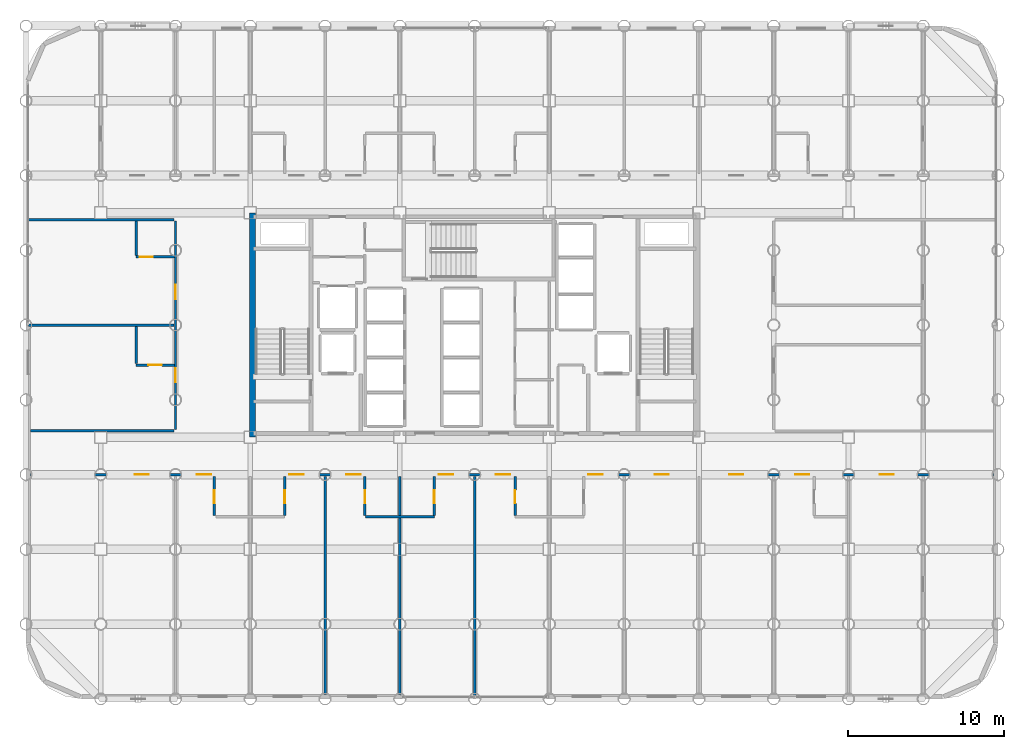
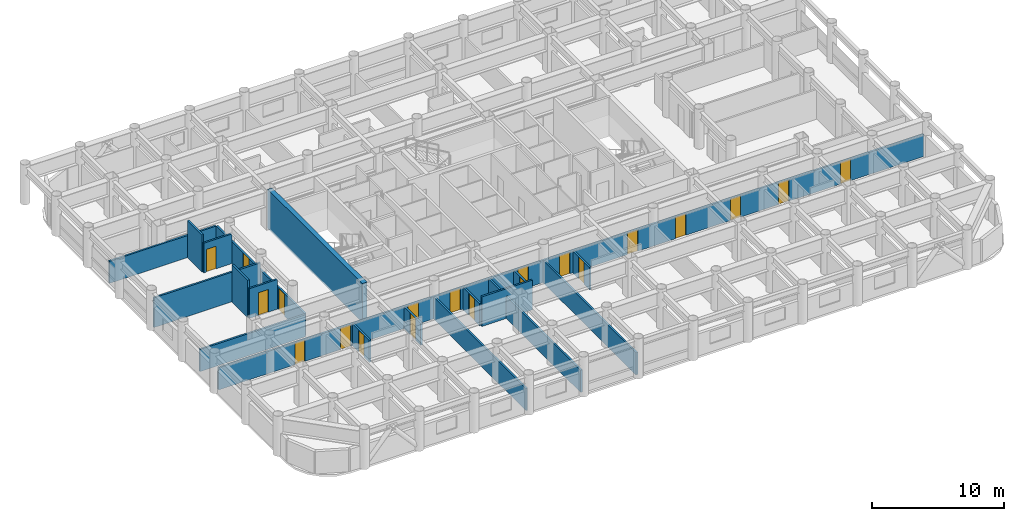
# One storey, part 15 of 21: 20 doors, 19 walls, 20 openings.
"""IFC4 building model written with IfcOpenShell, lengths in metres."""

from ifc_helpers import new_model, si_unit, direction, frame, frame_2d, origin, place, context, subcontext, project, spatial, rectangle, extrude, material, layer, layer_set, type_object, element, fill, save


model = new_model("IFC4")

# Units and contexts
model_context = context("Model", 3, precision=1e-05, world=origin(), true_north=direction((0.0, 1.0)))
body_context = subcontext(model_context, "Body", "Model", "MODEL_VIEW")
ifc_project = project(units=[si_unit("LENGTHUNIT", "METRE"), si_unit("AREAUNIT", "SQUARE_METRE"), si_unit("VOLUMEUNIT", "CUBIC_METRE"), si_unit("PLANEANGLEUNIT", "RADIAN"), si_unit("MASSUNIT", "GRAM", prefix="KILO")], contexts=[model_context])

# Site, building, storey
site_placement = place(None, origin())
site = spatial("IfcSite", under=ifc_project, at=site_placement, CompositionType="ELEMENT")
building_placement = place(site_placement, origin())
building = spatial("IfcBuilding", under=site, at=building_placement, Name="Kallvorn Hotel Tower", CompositionType="ELEMENT")
storey_placement = place(building_placement, frame((0.0, 0.0, 85.5)))
storey = spatial("IfcBuildingStorey", under=building, at=storey_placement, Name="L20", CompositionType="ELEMENT", Elevation=85.5)

# Walls
ifc_material_1 = material(Name="Concrete C50/60", Category="concrete")
ifc_layer_1 = layer(ifc_material_1, 0.39990234375)
ifc_layer_set_1 = layer_set([ifc_layer_1], Name="WL_CORE_400")
wall_type_1 = type_object("IfcWallType", Name="WL_CORE_400", PredefinedType="SHEAR", material=ifc_layer_set_1)
wall_1_placement = place(storey_placement, frame((-14.264892578125, -7.199951171875, -0.179931640625), z_axis=(0.0, 0.0, 1.0), x_axis=(0.0, 1.0, 0.0)))
element("IfcWall", 1, at=wall_1_placement, inside=storey, type_object=wall_type_1, Name="L20 Core West Shear Wall", PredefinedType="SHEAR", context=body_context, shape_type="SweptSolid", body=[
    extrude(rectangle(XDim=14.39990234375, YDim=0.39990234375, at=frame_2d((7.199951171875, 0.0))), origin(), (0.0, 0.0, 1.0), 3.6298828125),
])
ifc_material_2 = material(Name="Fire-rated double-layer acoustic gypsum drywall EI 60")
ifc_layer_2 = layer(ifc_material_2, 0.159912109375)
ifc_layer_set_2 = layer_set([ifc_layer_2], Name="WL_DEMISE_160")
wall_type_2 = type_object("IfcWallType", Name="WL_DEMISE_160", PredefinedType="PARTITIONING", material=ifc_layer_set_2)
wall_2_placement = place(storey_placement, frame((-7.010009765625, -12.320068359375, 0.0), z_axis=(0.0, 0.0, 1.0), x_axis=(1.0, 0.0, 0.0)))
element("IfcWall", 2, at=wall_2_placement, inside=storey, type_object=wall_type_2, Name="L20 Suite 2005 Superior Twin Room Partition", PredefinedType="PARTITIONING", context=body_context, shape_type="SweptSolid", body=[
    extrude(rectangle(XDim=4.419921875, YDim=0.159912109375, at=frame_2d((2.2099609375, 0.0))), origin(), (0.0, 0.0, 1.0), 2.75),
])

# Wall, openings, doors
wall_3_placement = place(storey_placement, frame((-28.510009765625, -9.60009765625, 0.0), z_axis=(0.0, 0.0, 1.0), x_axis=(1.0, 0.0, 0.0)))
wall_3 = element("IfcWall", 3, at=wall_3_placement, inside=storey, type_object=wall_type_2, Name="L20 Suite 2003 Superior Twin Room Partition", PredefinedType="PARTITIONING", context=body_context, shape_type="SweptSolid", body=[
    extrude(rectangle(XDim=61.820068359375, YDim=0.159912109375, at=frame_2d((30.91015625, 0.0))), origin(), (0.0, 0.0, 1.0), 2.050048828125),
])
opening_1_placement = place(wall_3_placement, frame((6.679443359375, 0.0, 0.0)))
opening_1 = element("IfcOpeningElement", 4, at=opening_1_placement, cuts=wall_3, Name="Opening SVD1A", PredefinedType="OPENING", context=body_context, shape_type="SweptSolid", body=[
    extrude(rectangle(XDim=0.89990234375, YDim=2.02001953125, at=frame_2d((0.449951171875, 1.010009765625))), frame((0.0, 0.094970703125, 0.0), z_axis=(0.0, -1.0, 0.0), x_axis=(1.0, 0.0, 0.0)), (0.0, 0.0, 1.0), 0.18994140625),
])
opening_2_placement = place(wall_3_placement, frame((54.5, 0.0, 0.0)))
opening_2 = element("IfcOpeningElement", 5, at=opening_2_placement, cuts=wall_3, Name="Opening SVD1A", PredefinedType="OPENING", context=body_context, shape_type="SweptSolid", body=[
    extrude(rectangle(XDim=0.89990234375, YDim=2.02001953125, at=frame_2d((0.449951171875, 1.010009765625))), frame((0.0, 0.094970703125, 0.0), z_axis=(0.0, -1.0, 0.0), x_axis=(1.0, 0.0, 0.0)), (0.0, 0.0, 1.0), 0.18994140625),
])
opening_3_placement = place(wall_3_placement, frame((10.679931640625, 0.0, 0.0)))
opening_3 = element("IfcOpeningElement", 6, at=opening_3_placement, cuts=wall_3, Name="Opening GD1A", PredefinedType="OPENING", context=body_context, shape_type="SweptSolid", body=[
    extrude(rectangle(XDim=0.919921875, YDim=2.02001953125, at=frame_2d((0.4599609375, 1.010009765625))), frame((0.0, 0.094970703125, 0.0), z_axis=(0.0, -1.0, 0.0), x_axis=(1.0, 0.0, 0.0)), (0.0, 0.0, 1.0), 0.18994140625),
])
opening_4_placement = place(wall_3_placement, frame((16.6201171875, 0.0, 0.0)))
opening_4 = element("IfcOpeningElement", 7, at=opening_4_placement, cuts=wall_3, Name="Opening GD1A", PredefinedType="OPENING", context=body_context, shape_type="SweptSolid", body=[
    extrude(rectangle(XDim=0.919921875, YDim=2.02001953125, at=frame_2d((0.4599609375, 1.010009765625))), frame((0.0, 0.094970703125, 0.0), z_axis=(0.0, -1.0, 0.0), x_axis=(1.0, 0.0, 0.0)), (0.0, 0.0, 1.0), 0.18994140625),
])
opening_5_placement = place(wall_3_placement, frame((20.280029296875, 0.0, 0.0)))
opening_5 = element("IfcOpeningElement", 8, at=opening_5_placement, cuts=wall_3, Name="Opening GD1A", PredefinedType="OPENING", context=body_context, shape_type="SweptSolid", body=[
    extrude(rectangle(XDim=0.919921875, YDim=2.02001953125, at=frame_2d((0.4599609375, 1.010009765625))), frame((0.0, 0.094970703125, 0.0), z_axis=(0.0, -1.0, 0.0), x_axis=(1.0, 0.0, 0.0)), (0.0, 0.0, 1.0), 0.18994140625),
])
opening_6_placement = place(wall_3_placement, frame((26.219970703125, 0.0, 0.0)))
opening_6 = element("IfcOpeningElement", 9, at=opening_6_placement, cuts=wall_3, Name="Opening GD1A", PredefinedType="OPENING", context=body_context, shape_type="SweptSolid", body=[
    extrude(rectangle(XDim=0.919921875, YDim=2.02001953125, at=frame_2d((0.4599609375, 1.010009765625))), frame((0.0, 0.094970703125, 0.0), z_axis=(0.0, -1.0, 0.0), x_axis=(1.0, 0.0, 0.0)), (0.0, 0.0, 1.0), 0.18994140625),
])
opening_7_placement = place(wall_3_placement, frame((29.8798828125, 0.0, 0.0)))
opening_7 = element("IfcOpeningElement", 10, at=opening_7_placement, cuts=wall_3, Name="Opening GD1A", PredefinedType="OPENING", context=body_context, shape_type="SweptSolid", body=[
    extrude(rectangle(XDim=0.919921875, YDim=2.02001953125, at=frame_2d((0.4599609375, 1.010009765625))), frame((0.0, 0.094970703125, 0.0), z_axis=(0.0, -1.0, 0.0), x_axis=(1.0, 0.0, 0.0)), (0.0, 0.0, 1.0), 0.18994140625),
])
opening_8_placement = place(wall_3_placement, frame((35.820068359375, 0.0, 0.0)))
opening_8 = element("IfcOpeningElement", 11, at=opening_8_placement, cuts=wall_3, Name="Opening GD1A", PredefinedType="OPENING", context=body_context, shape_type="SweptSolid", body=[
    extrude(rectangle(XDim=0.919921875, YDim=2.02001953125, at=frame_2d((0.4599609375, 1.010009765625))), frame((0.0, 0.094970703125, 0.0), z_axis=(0.0, -1.0, 0.0), x_axis=(1.0, 0.0, 0.0)), (0.0, 0.0, 1.0), 0.18994140625),
])
opening_9_placement = place(wall_3_placement, frame((40.06005859375, 0.0, 0.0)))
opening_9 = element("IfcOpeningElement", 12, at=opening_9_placement, cuts=wall_3, Name="Opening SVD1A", PredefinedType="OPENING", context=body_context, shape_type="SweptSolid", body=[
    extrude(rectangle(XDim=0.89990234375, YDim=2.02001953125, at=frame_2d((0.449951171875, 1.010009765625))), frame((0.0, 0.094970703125, 0.0), z_axis=(0.0, -1.0, 0.0), x_axis=(1.0, 0.0, 0.0)), (0.0, 0.0, 1.0), 0.18994140625),
])
opening_10_placement = place(wall_3_placement, frame((44.860107421875, 0.0, 0.0)))
opening_10 = element("IfcOpeningElement", 13, at=opening_10_placement, cuts=wall_3, Name="Opening SVD1A", PredefinedType="OPENING", context=body_context, shape_type="SweptSolid", body=[
    extrude(rectangle(XDim=0.89990234375, YDim=2.02001953125, at=frame_2d((0.449951171875, 1.010009765625))), frame((0.0, 0.094970703125, 0.0), z_axis=(0.0, -1.0, 0.0), x_axis=(1.0, 0.0, 0.0)), (0.0, 0.0, 1.0), 0.18994140625),
])
opening_11_placement = place(wall_3_placement, frame((49.080078125, 0.0, 0.0)))
opening_11 = element("IfcOpeningElement", 14, at=opening_11_placement, cuts=wall_3, Name="Opening GD1A", PredefinedType="OPENING", context=body_context, shape_type="SweptSolid", body=[
    extrude(rectangle(XDim=0.919921875, YDim=2.02001953125, at=frame_2d((0.4599609375, 1.010009765625))), frame((0.0, 0.094970703125, 0.0), z_axis=(0.0, -1.0, 0.0), x_axis=(1.0, 0.0, 0.0)), (0.0, 0.0, 1.0), 0.18994140625),
])
ifc_material_3 = material(Name="Solid-core walnut veneer fire-rated timber door leaf", Category="wood")
door_type_1 = type_object("IfcDoorType", Name="DR_GUEST_920x2020", OperationType="NOTDEFINED", PredefinedType="DOOR", material=ifc_material_3)
door_1_placement = place(opening_3_placement, origin())
door_1 = element("IfcDoor", 15, at=door_1_placement, inside=storey, type_object=door_type_1, Name="L20 Suite 2003 Superior Twin Room Door", OperationType="SINGLE_SWING_RIGHT", OverallHeight=2.02001953125, OverallWidth=0.919921875, PredefinedType="DOOR", context=body_context, shape_type="SweptSolid", body=[
    extrude(rectangle(XDim=0.919921875, YDim=2.02001953125, at=frame_2d((0.4599609375, 1.010009765625))), frame((0.0, 0.02490234375, 0.0), z_axis=(0.0, -1.0, 0.0), x_axis=(1.0, 0.0, 0.0)), (0.0, 0.0, 1.0), 0.050048828125),
])
fill(opening_3, door_1)
door_2_placement = place(opening_4_placement, origin())
door_2 = element("IfcDoor", 16, at=door_2_placement, inside=storey, type_object=door_type_1, Name="L20 Suite 2004 Superior Twin Room Door", OperationType="SINGLE_SWING_LEFT", OverallHeight=2.02001953125, OverallWidth=0.919921875, PredefinedType="DOOR", context=body_context, shape_type="SweptSolid", body=[
    extrude(rectangle(XDim=0.919921875, YDim=2.02001953125, at=frame_2d((0.4599609375, 1.010009765625))), frame((0.0, 0.02490234375, 0.0), z_axis=(0.0, -1.0, 0.0), x_axis=(1.0, 0.0, 0.0)), (0.0, 0.0, 1.0), 0.050048828125),
])
fill(opening_4, door_2)
door_3_placement = place(opening_5_placement, origin())
door_3 = element("IfcDoor", 17, at=door_3_placement, inside=storey, type_object=door_type_1, Name="L20 Suite 2005 Superior Twin Room Door", OperationType="SINGLE_SWING_LEFT", OverallHeight=2.02001953125, OverallWidth=0.919921875, PredefinedType="DOOR", context=body_context, shape_type="SweptSolid", body=[
    extrude(rectangle(XDim=0.919921875, YDim=2.02001953125, at=frame_2d((0.4599609375, 1.010009765625))), frame((0.0, 0.02490234375, 0.0), z_axis=(0.0, -1.0, 0.0), x_axis=(1.0, 0.0, 0.0)), (0.0, 0.0, 1.0), 0.050048828125),
])
fill(opening_5, door_3)
door_4_placement = place(opening_6_placement, origin())
door_4 = element("IfcDoor", 18, at=door_4_placement, inside=storey, type_object=door_type_1, Name="L20 Suite 2006 Superior Twin Room Door", OperationType="SINGLE_SWING_LEFT", OverallHeight=2.02001953125, OverallWidth=0.919921875, PredefinedType="DOOR", context=body_context, shape_type="SweptSolid", body=[
    extrude(rectangle(XDim=0.919921875, YDim=2.02001953125, at=frame_2d((0.4599609375, 1.010009765625))), frame((0.0, 0.02490234375, 0.0), z_axis=(0.0, -1.0, 0.0), x_axis=(1.0, 0.0, 0.0)), (0.0, 0.0, 1.0), 0.050048828125),
])
fill(opening_6, door_4)
door_5_placement = place(opening_7_placement, origin())
door_5 = element("IfcDoor", 19, at=door_5_placement, inside=storey, type_object=door_type_1, Name="L20 Suite 2007 Superior Twin Room Door", OperationType="SINGLE_SWING_LEFT", OverallHeight=2.02001953125, OverallWidth=0.919921875, PredefinedType="DOOR", context=body_context, shape_type="SweptSolid", body=[
    extrude(rectangle(XDim=0.919921875, YDim=2.02001953125, at=frame_2d((0.4599609375, 1.010009765625))), frame((0.0, 0.02490234375, 0.0), z_axis=(0.0, -1.0, 0.0), x_axis=(1.0, 0.0, 0.0)), (0.0, 0.0, 1.0), 0.050048828125),
])
fill(opening_7, door_5)
door_6_placement = place(opening_8_placement, origin())
door_6 = element("IfcDoor", 20, at=door_6_placement, inside=storey, type_object=door_type_1, Name="L20 Suite 2008 Superior Twin Room Door", OperationType="SINGLE_SWING_RIGHT", OverallHeight=2.02001953125, OverallWidth=0.919921875, PredefinedType="DOOR", context=body_context, shape_type="SweptSolid", body=[
    extrude(rectangle(XDim=0.919921875, YDim=2.02001953125, at=frame_2d((0.4599609375, 1.010009765625))), frame((0.0, 0.02490234375, 0.0), z_axis=(0.0, -1.0, 0.0), x_axis=(1.0, 0.0, 0.0)), (0.0, 0.0, 1.0), 0.050048828125),
])
fill(opening_8, door_6)
door_7_placement = place(opening_11_placement, origin())
door_7 = element("IfcDoor", 21, at=door_7_placement, inside=storey, type_object=door_type_1, Name="L20 Suite 2009 Deluxe King Room Door", OperationType="SINGLE_SWING_RIGHT", OverallHeight=2.02001953125, OverallWidth=0.919921875, PredefinedType="DOOR", context=body_context, shape_type="SweptSolid", body=[
    extrude(rectangle(XDim=0.919921875, YDim=2.02001953125, at=frame_2d((0.4599609375, 1.010009765625))), frame((0.0, 0.02490234375, 0.0), z_axis=(0.0, -1.0, 0.0), x_axis=(1.0, 0.0, 0.0)), (0.0, 0.0, 1.0), 0.050048828125),
])
fill(opening_11, door_7)
ifc_material_4 = material(Name="Galvanised painted steel fire-rated door assembly", Category="steel")
door_type_2 = type_object("IfcDoorType", Name="DR_SERV_900x2020", OperationType="NOTDEFINED", PredefinedType="DOOR", material=ifc_material_4)
door_8_placement = place(opening_1_placement, origin())
door_8 = element("IfcDoor", 22, at=door_8_placement, inside=storey, type_object=door_type_2, Name="L20 L20 South-West Botanical Bar Door", OperationType="SINGLE_SWING_LEFT", OverallHeight=2.02001953125, OverallWidth=0.89990234375, PredefinedType="DOOR", context=body_context, shape_type="SweptSolid", body=[
    extrude(rectangle(XDim=0.89990234375, YDim=2.02001953125, at=frame_2d((0.449951171875, 1.010009765625))), frame((0.0, 0.02490234375, 0.0), z_axis=(0.0, -1.0, 0.0), x_axis=(1.0, 0.0, 0.0)), (0.0, 0.0, 1.0), 0.050048828125),
])
fill(opening_1, door_8)
door_9_placement = place(opening_2_placement, origin())
door_9 = element("IfcDoor", 23, at=door_9_placement, inside=storey, type_object=door_type_2, Name="L20 L20 South-East Sommelier Bar A Door", OperationType="SINGLE_SWING_RIGHT", OverallHeight=2.02001953125, OverallWidth=0.89990234375, PredefinedType="DOOR", context=body_context, shape_type="SweptSolid", body=[
    extrude(rectangle(XDim=0.89990234375, YDim=2.02001953125, at=frame_2d((0.449951171875, 1.010009765625))), frame((0.0, 0.02490234375, 0.0), z_axis=(0.0, -1.0, 0.0), x_axis=(1.0, 0.0, 0.0)), (0.0, 0.0, 1.0), 0.050048828125),
])
fill(opening_2, door_9)
door_10_placement = place(opening_9_placement, origin())
door_10 = element("IfcDoor", 24, at=door_10_placement, inside=storey, type_object=door_type_2, Name="L20 L20 Thermal Hydrotherapy Treatment Suite 7-1 Door", OperationType="SINGLE_SWING_RIGHT", OverallHeight=2.02001953125, OverallWidth=0.89990234375, PredefinedType="DOOR", context=body_context, shape_type="SweptSolid", body=[
    extrude(rectangle(XDim=0.89990234375, YDim=2.02001953125, at=frame_2d((0.449951171875, 1.010009765625))), frame((0.0, 0.02490234375, 0.0), z_axis=(0.0, -1.0, 0.0), x_axis=(1.0, 0.0, 0.0)), (0.0, 0.0, 1.0), 0.050048828125),
])
fill(opening_9, door_10)
door_11_placement = place(opening_10_placement, origin())
door_11 = element("IfcDoor", 25, at=door_11_placement, inside=storey, type_object=door_type_2, Name="L20 L20 Thermal Hydrotherapy Treatment Suite 7-2 Door", OperationType="SINGLE_SWING_LEFT", OverallHeight=2.02001953125, OverallWidth=0.89990234375, PredefinedType="DOOR", context=body_context, shape_type="SweptSolid", body=[
    extrude(rectangle(XDim=0.89990234375, YDim=2.02001953125, at=frame_2d((0.449951171875, 1.010009765625))), frame((0.0, 0.02490234375, 0.0), z_axis=(0.0, -1.0, 0.0), x_axis=(1.0, 0.0, 0.0)), (0.0, 0.0, 1.0), 0.050048828125),
])
fill(opening_10, door_11)

# Wall
wall_4_placement = place(storey_placement, frame((-28.510009765625, -6.800048828125, 0.0), z_axis=(0.0, 0.0, 1.0), x_axis=(1.0, 0.0, 0.0)))
element("IfcWall", 26, at=wall_4_placement, inside=storey, type_object=wall_type_2, Name="L20 Suite 2001 W Loggia King Room Partition", PredefinedType="PARTITIONING", context=body_context, shape_type="SweptSolid", body=[
    extrude(rectangle(XDim=9.22998046875, YDim=0.159912109375, at=frame_2d((4.614990234375, 0.0))), origin(), (0.0, 0.0, 1.0), 2.050048828125),
])

# Wall, opening, door
wall_5_placement = place(storey_placement, frame((-21.72998046875, -2.566650390625, 0.0), z_axis=(0.0, 0.0, 1.0), x_axis=(1.0, 0.0, 0.0)))
wall_5 = element("IfcWall", 27, at=wall_5_placement, inside=storey, type_object=wall_type_2, Name="L20 Suite 2001 W Loggia King Room Partition", PredefinedType="PARTITIONING", context=body_context, shape_type="SweptSolid", body=[
    extrude(rectangle(XDim=2.449951171875, YDim=0.159912109375, at=frame_2d((1.22509765625, 0.0))), origin(), (0.0, 0.0, 1.0), 2.75),
])
opening_12_placement = place(wall_5_placement, frame((0.794921875, 0.0, 0.0)))
opening_12 = element("IfcOpeningElement", 28, at=opening_12_placement, cuts=wall_5, Name="Opening BD-I", PredefinedType="OPENING", context=body_context, shape_type="SweptSolid", body=[
    extrude(rectangle(XDim=0.860107421875, YDim=2.10009765625, at=frame_2d((0.43017578125, 1.050048828125))), frame((0.0, 0.094970703125, 0.0), z_axis=(0.0, -1.0, 0.0), x_axis=(1.0, 0.0, 0.0)), (0.0, 0.0, 1.0), 0.18994140625),
])
ifc_material_5 = material(Name="Solid-core walnut veneer fire-rated timber door leaf", Category="wood")
door_type_3 = type_object("IfcDoorType", Name="DR_BATH_860x2100", OperationType="NOTDEFINED", PredefinedType="DOOR", material=ifc_material_5)
door_12_placement = place(opening_12_placement, origin())
door_12 = element("IfcDoor", 29, at=door_12_placement, inside=storey, type_object=door_type_3, Name="L20 Suite 2001 En-Suite Bathroom Door", OperationType="SINGLE_SWING_RIGHT", OverallHeight=2.10009765625, OverallWidth=0.860107421875, PredefinedType="DOOR", context=body_context, shape_type="SweptSolid", body=[
    extrude(rectangle(XDim=0.860107421875, YDim=2.10009765625, at=frame_2d((0.43017578125, 1.050048828125))), frame((0.0, 0.02490234375, 0.0), z_axis=(0.0, -1.0, 0.0), x_axis=(1.0, 0.0, 0.0)), (0.0, 0.0, 1.0), 0.050048828125),
])
fill(opening_12, door_12)

# Wall
wall_6_placement = place(storey_placement, frame((-28.6298828125, 0.0, 0.0), z_axis=(0.0, 0.0, 1.0), x_axis=(1.0, 0.0, 0.0)))
element("IfcWall", 30, at=wall_6_placement, inside=storey, type_object=wall_type_2, Name="L20 Suite 2002 W Andean Twin Room Partition", PredefinedType="PARTITIONING", context=body_context, shape_type="SweptSolid", body=[
    extrude(rectangle(XDim=9.349853515625, YDim=0.159912109375, at=frame_2d((4.6748046875, 0.0))), origin(), (0.0, 0.0, 1.0), 2.75),
])

# Wall, opening, door
wall_7_placement = place(storey_placement, frame((-21.72998046875, 4.373291015625, 0.0), z_axis=(0.0, 0.0, 1.0), x_axis=(1.0, 0.0, 0.0)))
wall_7 = element("IfcWall", 31, at=wall_7_placement, inside=storey, type_object=wall_type_2, Name="L20 Suite 2002 W Andean Twin Room Partition", PredefinedType="PARTITIONING", context=body_context, shape_type="SweptSolid", body=[
    extrude(rectangle(XDim=2.449951171875, YDim=0.159912109375, at=frame_2d((1.22509765625, 0.0))), origin(), (0.0, 0.0, 1.0), 2.75),
])
opening_13_placement = place(wall_7_placement, frame((0.219970703125, 0.0, 0.0)))
opening_13 = element("IfcOpeningElement", 32, at=opening_13_placement, cuts=wall_7, Name="Opening BD-I", PredefinedType="OPENING", context=body_context, shape_type="SweptSolid", body=[
    extrude(rectangle(XDim=0.860107421875, YDim=2.10009765625, at=frame_2d((0.43017578125, 1.050048828125))), frame((0.0, 0.094970703125, 0.0), z_axis=(0.0, -1.0, 0.0), x_axis=(1.0, 0.0, 0.0)), (0.0, 0.0, 1.0), 0.18994140625),
])
door_13_placement = place(opening_13_placement, origin())
door_13 = element("IfcDoor", 33, at=door_13_placement, inside=storey, type_object=door_type_3, Name="L20 Suite 2002 En-Suite Bathroom Door", OperationType="SINGLE_SWING_RIGHT", OverallHeight=2.10009765625, OverallWidth=0.860107421875, PredefinedType="DOOR", context=body_context, shape_type="SweptSolid", body=[
    extrude(rectangle(XDim=0.860107421875, YDim=2.10009765625, at=frame_2d((0.43017578125, 1.050048828125))), frame((0.0, 0.02490234375, 0.0), z_axis=(0.0, -1.0, 0.0), x_axis=(1.0, 0.0, 0.0)), (0.0, 0.0, 1.0), 0.050048828125),
])
fill(opening_13, door_13)

# Walls
wall_8_placement = place(storey_placement, frame((-28.6298828125, 6.75, 0.0), z_axis=(0.0, 0.0, 1.0), x_axis=(1.0, 0.0, 0.0)))
element("IfcWall", 34, at=wall_8_placement, inside=storey, type_object=wall_type_2, Name="L20 Suite 2002 W Andean Twin Room Partition", PredefinedType="PARTITIONING", context=body_context, shape_type="SweptSolid", body=[
    extrude(rectangle(XDim=9.349853515625, YDim=0.159912109375, at=frame_2d((4.6748046875, 0.0))), origin(), (0.0, 0.0, 1.0), 2.050048828125),
])
wall_9_placement = place(storey_placement, frame((-21.72998046875, -2.481689453125, 0.0), z_axis=(0.0, 0.0, 1.0), x_axis=(0.0, 1.0, 0.0)))
element("IfcWall", 35, at=wall_9_placement, inside=storey, type_object=wall_type_2, Name="L20 Suite 2001 W Loggia King Room Partition", PredefinedType="PARTITIONING", context=body_context, shape_type="SweptSolid", body=[
    extrude(rectangle(XDim=2.381591796875, YDim=0.159912109375, at=frame_2d((1.19091796875, 0.0))), origin(), (0.0, 0.0, 1.0), 3.449951171875),
])
wall_10_placement = place(storey_placement, frame((-21.72998046875, 4.458251953125, 0.0), z_axis=(0.0, 0.0, 1.0), x_axis=(0.0, 1.0, 0.0)))
element("IfcWall", 36, at=wall_10_placement, inside=storey, type_object=wall_type_2, Name="L20 Suite 2002 W Andean Twin Room Partition", PredefinedType="PARTITIONING", context=body_context, shape_type="SweptSolid", body=[
    extrude(rectangle(XDim=2.206787109375, YDim=0.159912109375, at=frame_2d((1.103515625, 0.0))), origin(), (0.0, 0.0, 1.0), 3.449951171875),
])

# Wall, openings, doors
wall_11_placement = place(storey_placement, frame((-19.199951171875, -6.715087890625, 0.0), z_axis=(0.0, 0.0, 1.0), x_axis=(0.0, 1.0, 0.0)))
wall_11 = element("IfcWall", 37, at=wall_11_placement, inside=storey, type_object=wall_type_2, Name="L20 Suite 2001 W Loggia King Room Partition", PredefinedType="PARTITIONING", context=body_context, shape_type="SweptSolid", body=[
    extrude(rectangle(XDim=13.380126953125, YDim=0.159912109375, at=frame_2d((6.68994140625, 0.0))), origin(), (0.0, 0.0, 1.0), 2.050048828125),
])
opening_14_placement = place(wall_11_placement, frame((3.034912109375, 0.0, 0.0)))
opening_14 = element("IfcOpeningElement", 38, at=opening_14_placement, cuts=wall_11, Name="Opening GD1A", PredefinedType="OPENING", context=body_context, shape_type="SweptSolid", body=[
    extrude(rectangle(XDim=0.919921875, YDim=2.02001953125, at=frame_2d((0.4599609375, 1.010009765625))), frame((0.0, 0.094970703125, 0.0), z_axis=(0.0, -1.0, 0.0), x_axis=(1.0, 0.0, 0.0)), (0.0, 0.0, 1.0), 0.18994140625),
])
opening_15_placement = place(wall_11_placement, frame((8.385009765625, 0.0, 0.0)))
opening_15 = element("IfcOpeningElement", 39, at=opening_15_placement, cuts=wall_11, Name="Opening GD1A", PredefinedType="OPENING", context=body_context, shape_type="SweptSolid", body=[
    extrude(rectangle(XDim=0.919921875, YDim=2.02001953125, at=frame_2d((0.4599609375, 1.010009765625))), frame((0.0, 0.094970703125, 0.0), z_axis=(0.0, -1.0, 0.0), x_axis=(1.0, 0.0, 0.0)), (0.0, 0.0, 1.0), 0.18994140625),
])
door_14_placement = place(opening_14_placement, origin())
door_14 = element("IfcDoor", 40, at=door_14_placement, inside=storey, type_object=door_type_1, Name="L20 Suite 2001 W Loggia King Room Door", OperationType="SINGLE_SWING_RIGHT", OverallHeight=2.02001953125, OverallWidth=0.919921875, PredefinedType="DOOR", context=body_context, shape_type="SweptSolid", body=[
    extrude(rectangle(XDim=0.919921875, YDim=2.02001953125, at=frame_2d((0.4599609375, 1.010009765625))), frame((0.0, 0.02490234375, 0.0), z_axis=(0.0, -1.0, 0.0), x_axis=(1.0, 0.0, 0.0)), (0.0, 0.0, 1.0), 0.050048828125),
])
fill(opening_14, door_14)
door_15_placement = place(opening_15_placement, origin())
door_15 = element("IfcDoor", 41, at=door_15_placement, inside=storey, type_object=door_type_1, Name="L20 Suite 2002 W Andean Twin Room Door", OperationType="SINGLE_SWING_LEFT", OverallHeight=2.02001953125, OverallWidth=0.919921875, PredefinedType="DOOR", context=body_context, shape_type="SweptSolid", body=[
    extrude(rectangle(XDim=0.919921875, YDim=2.02001953125, at=frame_2d((0.4599609375, 1.010009765625))), frame((0.0, 0.02490234375, 0.0), z_axis=(0.0, -1.0, 0.0), x_axis=(1.0, 0.0, 0.0)), (0.0, 0.0, 1.0), 0.050048828125),
])
fill(opening_15, door_15)

# Wall, opening, door
wall_12_placement = place(storey_placement, frame((-16.705078125, -12.235107421875, 0.0), z_axis=(0.0, 0.0, 1.0), x_axis=(0.0, 1.0, 0.0)))
wall_12 = element("IfcWall", 42, at=wall_12_placement, inside=storey, type_object=wall_type_2, Name="L20 Suite 2003 Superior Twin Room Partition", PredefinedType="PARTITIONING", context=body_context, shape_type="SweptSolid", body=[
    extrude(rectangle(XDim=2.51513671875, YDim=0.159912109375, at=frame_2d((1.257568359375, 0.0))), origin(), (0.0, 0.0, 1.0), 2.050048828125),
])
opening_16_placement = place(wall_12_placement, frame((0.784912109375, 0.0, 0.0)))
opening_16 = element("IfcOpeningElement", 43, at=opening_16_placement, cuts=wall_12, Name="Opening BD-IA", PredefinedType="OPENING", context=body_context, shape_type="SweptSolid", body=[
    extrude(rectangle(XDim=0.860107421875, YDim=2.02001953125, at=frame_2d((0.43017578125, 1.010009765625))), frame((0.0, 0.094970703125, 0.0), z_axis=(0.0, -1.0, 0.0), x_axis=(1.0, 0.0, 0.0)), (0.0, 0.0, 1.0), 0.18994140625),
])
ifc_material_6 = material(Name="Solid-core walnut veneer fire-rated timber door leaf", Category="wood")
door_type_4 = type_object("IfcDoorType", Name="DR_BATH_860x2020", OperationType="NOTDEFINED", PredefinedType="DOOR", material=ifc_material_6)
door_16_placement = place(opening_16_placement, origin())
door_16 = element("IfcDoor", 44, at=door_16_placement, inside=storey, type_object=door_type_4, Name="L20 Suite 2003 En-Suite Bathroom Door", OperationType="SINGLE_SWING_LEFT", OverallHeight=2.02001953125, OverallWidth=0.860107421875, PredefinedType="DOOR", context=body_context, shape_type="SweptSolid", body=[
    extrude(rectangle(XDim=0.860107421875, YDim=2.02001953125, at=frame_2d((0.43017578125, 1.010009765625))), frame((0.0, 0.02490234375, 0.0), z_axis=(0.0, -1.0, 0.0), x_axis=(1.0, 0.0, 0.0)), (0.0, 0.0, 1.0), 0.050048828125),
])
fill(opening_16, door_16)

wall_13_placement = place(storey_placement, frame((-12.18994140625, -12.235107421875, 0.0), z_axis=(0.0, 0.0, 1.0), x_axis=(0.0, 1.0, 0.0)))
wall_13 = element("IfcWall", 45, at=wall_13_placement, inside=storey, type_object=wall_type_2, Name="L20 Suite 2004 Superior Twin Room Partition", PredefinedType="PARTITIONING", context=body_context, shape_type="SweptSolid", body=[
    extrude(rectangle(XDim=2.51513671875, YDim=0.159912109375, at=frame_2d((1.257568359375, 0.0))), origin(), (0.0, 0.0, 1.0), 2.050048828125),
])
opening_17_placement = place(wall_13_placement, frame((0.784912109375, 0.0, 0.0)))
opening_17 = element("IfcOpeningElement", 46, at=opening_17_placement, cuts=wall_13, Name="Opening BD-IA", PredefinedType="OPENING", context=body_context, shape_type="SweptSolid", body=[
    extrude(rectangle(XDim=0.860107421875, YDim=2.02001953125, at=frame_2d((0.43017578125, 1.010009765625))), frame((0.0, 0.094970703125, 0.0), z_axis=(0.0, -1.0, 0.0), x_axis=(1.0, 0.0, 0.0)), (0.0, 0.0, 1.0), 0.18994140625),
])
door_17_placement = place(opening_17_placement, origin())
door_17 = element("IfcDoor", 47, at=door_17_placement, inside=storey, type_object=door_type_4, Name="L20 Suite 2004 En-Suite Bathroom Door", OperationType="SINGLE_SWING_LEFT", OverallHeight=2.02001953125, OverallWidth=0.860107421875, PredefinedType="DOOR", context=body_context, shape_type="SweptSolid", body=[
    extrude(rectangle(XDim=0.860107421875, YDim=2.02001953125, at=frame_2d((0.43017578125, 1.010009765625))), frame((0.0, 0.02490234375, 0.0), z_axis=(0.0, -1.0, 0.0), x_axis=(1.0, 0.0, 0.0)), (0.0, 0.0, 1.0), 0.050048828125),
])
fill(opening_17, door_17)

# Wall
wall_14_placement = place(storey_placement, frame((-9.60009765625, -23.7099609375, 0.0), z_axis=(0.0, 0.0, 1.0), x_axis=(0.0, 1.0, 0.0)))
element("IfcWall", 48, at=wall_14_placement, inside=storey, type_object=wall_type_2, Name="L20 Suite 2004 Superior Twin Room Partition", PredefinedType="PARTITIONING", context=body_context, shape_type="SweptSolid", body=[
    extrude(rectangle(XDim=13.989990234375, YDim=0.159912109375, at=frame_2d((6.9951171875, 0.0))), origin(), (0.0, 0.0, 1.0), 2.050048828125),
])

# Wall, opening, door
wall_15_placement = place(storey_placement, frame((-7.0400390625, -12.235107421875, 0.0), z_axis=(0.0, 0.0, 1.0), x_axis=(0.0, 1.0, 0.0)))
wall_15 = element("IfcWall", 49, at=wall_15_placement, inside=storey, type_object=wall_type_2, Name="L20 Suite 2005 Superior Twin Room Partition", PredefinedType="PARTITIONING", context=body_context, shape_type="SweptSolid", body=[
    extrude(rectangle(XDim=2.51513671875, YDim=0.159912109375, at=frame_2d((1.257568359375, 0.0))), origin(), (0.0, 0.0, 1.0), 2.050048828125),
])
opening_18_placement = place(wall_15_placement, frame((0.784912109375, 0.0, 0.0)))
opening_18 = element("IfcOpeningElement", 50, at=opening_18_placement, cuts=wall_15, Name="Opening BD-IA", PredefinedType="OPENING", context=body_context, shape_type="SweptSolid", body=[
    extrude(rectangle(XDim=0.860107421875, YDim=2.02001953125, at=frame_2d((0.43017578125, 1.010009765625))), frame((0.0, 0.094970703125, 0.0), z_axis=(0.0, -1.0, 0.0), x_axis=(1.0, 0.0, 0.0)), (0.0, 0.0, 1.0), 0.18994140625),
])
door_18_placement = place(opening_18_placement, origin())
door_18 = element("IfcDoor", 51, at=door_18_placement, inside=storey, type_object=door_type_4, Name="L20 Suite 2005 En-Suite Bathroom Door", OperationType="SINGLE_SWING_RIGHT", OverallHeight=2.02001953125, OverallWidth=0.860107421875, PredefinedType="DOOR", context=body_context, shape_type="SweptSolid", body=[
    extrude(rectangle(XDim=0.860107421875, YDim=2.02001953125, at=frame_2d((0.43017578125, 1.010009765625))), frame((0.0, 0.02490234375, 0.0), z_axis=(0.0, -1.0, 0.0), x_axis=(1.0, 0.0, 0.0)), (0.0, 0.0, 1.0), 0.050048828125),
])
fill(opening_18, door_18)

# Wall
wall_16_placement = place(storey_placement, frame((-4.800048828125, -23.7099609375, 0.0), z_axis=(0.0, 0.0, 1.0), x_axis=(0.0, 1.0, 0.0)))
element("IfcWall", 52, at=wall_16_placement, inside=storey, type_object=wall_type_2, Name="L20 Suite 2005 Superior Twin Room Partition", PredefinedType="PARTITIONING", context=body_context, shape_type="SweptSolid", body=[
    extrude(rectangle(XDim=13.989990234375, YDim=0.159912109375, at=frame_2d((6.9951171875, 0.0))), origin(), (0.0, 0.0, 1.0), 2.050048828125),
])

# Wall, opening, door
wall_17_placement = place(storey_placement, frame((-2.590087890625, -12.235107421875, 0.0), z_axis=(0.0, 0.0, 1.0), x_axis=(0.0, 1.0, 0.0)))
wall_17 = element("IfcWall", 53, at=wall_17_placement, inside=storey, type_object=wall_type_2, Name="L20 Suite 2006 Superior Twin Room Partition", PredefinedType="PARTITIONING", context=body_context, shape_type="SweptSolid", body=[
    extrude(rectangle(XDim=2.51513671875, YDim=0.159912109375, at=frame_2d((1.257568359375, 0.0))), origin(), (0.0, 0.0, 1.0), 2.050048828125),
])
opening_19_placement = place(wall_17_placement, frame((0.784912109375, 0.0, 0.0)))
opening_19 = element("IfcOpeningElement", 54, at=opening_19_placement, cuts=wall_17, Name="Opening BD-IA", PredefinedType="OPENING", context=body_context, shape_type="SweptSolid", body=[
    extrude(rectangle(XDim=0.860107421875, YDim=2.02001953125, at=frame_2d((0.43017578125, 1.010009765625))), frame((0.0, 0.094970703125, 0.0), z_axis=(0.0, -1.0, 0.0), x_axis=(1.0, 0.0, 0.0)), (0.0, 0.0, 1.0), 0.18994140625),
])
door_19_placement = place(opening_19_placement, origin())
door_19 = element("IfcDoor", 55, at=door_19_placement, inside=storey, type_object=door_type_4, Name="L20 Suite 2006 En-Suite Bathroom Door", OperationType="SINGLE_SWING_LEFT", OverallHeight=2.02001953125, OverallWidth=0.860107421875, PredefinedType="DOOR", context=body_context, shape_type="SweptSolid", body=[
    extrude(rectangle(XDim=0.860107421875, YDim=2.02001953125, at=frame_2d((0.43017578125, 1.010009765625))), frame((0.0, 0.02490234375, 0.0), z_axis=(0.0, -1.0, 0.0), x_axis=(1.0, 0.0, 0.0)), (0.0, 0.0, 1.0), 0.050048828125),
])
fill(opening_19, door_19)

# Wall
wall_18_placement = place(storey_placement, frame((0.0, -23.794921875, 0.0), z_axis=(0.0, 0.0, 1.0), x_axis=(0.0, 1.0, 0.0)))
element("IfcWall", 56, at=wall_18_placement, inside=storey, type_object=wall_type_2, Name="L20 Suite 2006 Superior Twin Room Partition", PredefinedType="PARTITIONING", context=body_context, shape_type="SweptSolid", body=[
    extrude(rectangle(XDim=14.074951171875, YDim=0.159912109375, at=frame_2d((7.03759765625, 0.0))), origin(), (0.0, 0.0, 1.0), 2.050048828125),
])

# Wall, opening, door
wall_19_placement = place(storey_placement, frame((2.59423828125, -12.235107421875, 0.0), z_axis=(0.0, 0.0, 1.0), x_axis=(0.0, 1.0, 0.0)))
wall_19 = element("IfcWall", 57, at=wall_19_placement, inside=storey, type_object=wall_type_2, Name="L20 Suite 2007 Superior Twin Room Partition", PredefinedType="PARTITIONING", context=body_context, shape_type="SweptSolid", body=[
    extrude(rectangle(XDim=2.51513671875, YDim=0.159912109375, at=frame_2d((1.257568359375, 0.0))), origin(), (0.0, 0.0, 1.0), 2.050048828125),
])
opening_20_placement = place(wall_19_placement, frame((0.784912109375, 0.0, 0.0)))
opening_20 = element("IfcOpeningElement", 58, at=opening_20_placement, cuts=wall_19, Name="Opening BD-IA", PredefinedType="OPENING", context=body_context, shape_type="SweptSolid", body=[
    extrude(rectangle(XDim=0.860107421875, YDim=2.02001953125, at=frame_2d((0.43017578125, 1.010009765625))), frame((0.0, 0.094970703125, 0.0), z_axis=(0.0, -1.0, 0.0), x_axis=(1.0, 0.0, 0.0)), (0.0, 0.0, 1.0), 0.18994140625),
])
door_20_placement = place(opening_20_placement, origin())
door_20 = element("IfcDoor", 59, at=door_20_placement, inside=storey, type_object=door_type_4, Name="L20 Suite 2007 En-Suite Bathroom Door", OperationType="SINGLE_SWING_LEFT", OverallHeight=2.02001953125, OverallWidth=0.860107421875, PredefinedType="DOOR", context=body_context, shape_type="SweptSolid", body=[
    extrude(rectangle(XDim=0.860107421875, YDim=2.02001953125, at=frame_2d((0.43017578125, 1.010009765625))), frame((0.0, 0.02490234375, 0.0), z_axis=(0.0, -1.0, 0.0), x_axis=(1.0, 0.0, 0.0)), (0.0, 0.0, 1.0), 0.050048828125),
])
fill(opening_20, door_20)

save(model, "model.ifc")
